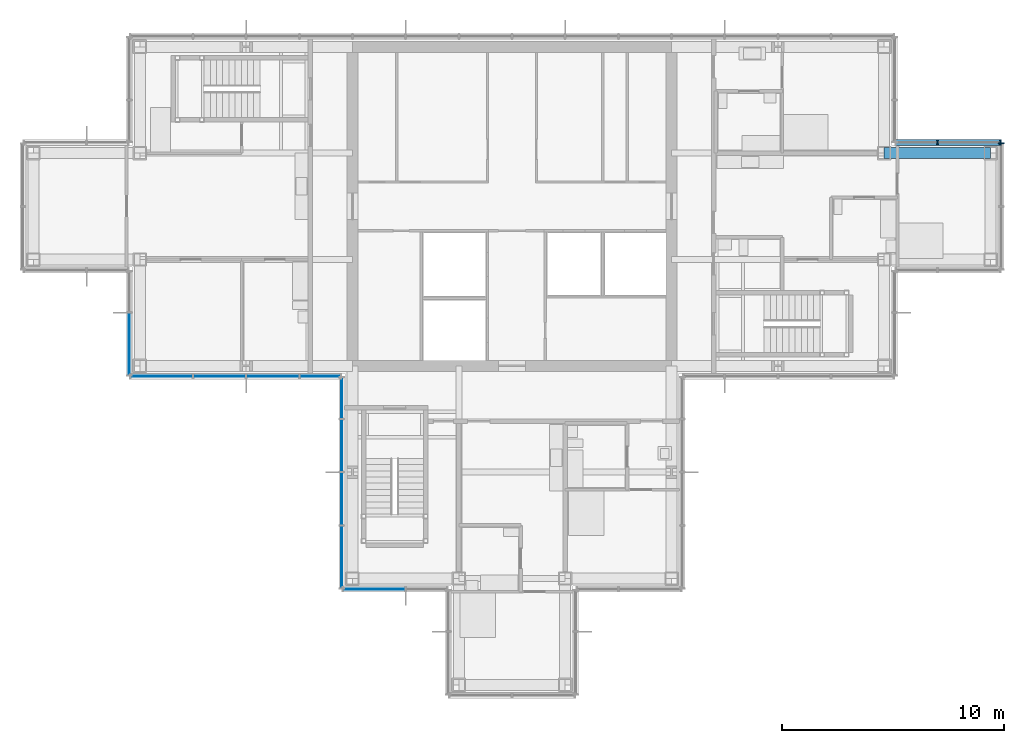
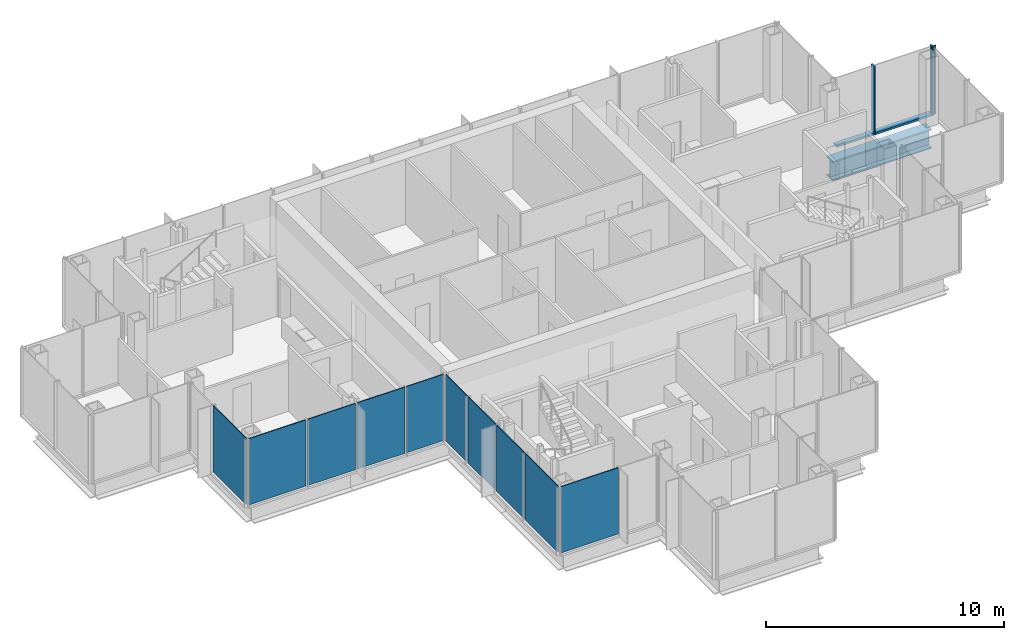
# One storey, part 8 of 15: 10 plates, 5 members, 1 beam, 6 elements without a shape of their own.
"""IFC4 building model written with IfcOpenShell, lengths in metres."""

import ifcopenshell
import ifcopenshell.guid

model = None  # the IFC model being written
_history = None  # IfcOwnerHistory: only IFC2X3 demands one
_inside = {}  # id of a spatial element -> (the spatial element, [elements in it])
_under = {}  # id of a project, library or spatial element -> (it, [spatial elements below it])
_declared = {}  # id of a project -> (the project, [libraries it declares])
_typed = {}  # id of a type object -> (the type object, [elements of that type])
_made_of = {}  # id of a material, layer set ... -> (it, [elements and type objects made of it])


def new_model(schema):
    """Start an empty IFC model of exactly this schema.

    Asked for "IFC4X3", IfcOpenShell would pick the latest addendum, in which some entities
    have other attributes; the version numbers below select the first issue.
    IFC2X3 requires an IfcOwnerHistory on every rooted entity: one is made here for all.
    """
    global model, _history
    if schema == "IFC4X3":
        model = ifcopenshell.file(schema_version=(4, 3, 0, 0))
    else:
        model = ifcopenshell.file(schema=schema)
    _inside.clear()
    _under.clear()
    _declared.clear()
    _typed.clear()
    _made_of.clear()
    _history = None
    if model.schema == "IFC2X3":
        org = make("IfcOrganization", Name="unknown")
        user = make(
            "IfcPersonAndOrganization",
            ThePerson=make("IfcPerson", FamilyName="unknown"),
            TheOrganization=org,
        )
        app = make(
            "IfcApplication",
            ApplicationDeveloper=org,
            Version="unknown",
            ApplicationFullName="unknown",
            ApplicationIdentifier="unknown",
        )
        _history = make(
            "IfcOwnerHistory",
            OwningUser=user,
            OwningApplication=app,
            ChangeAction="ADDED",
            CreationDate=0,
        )
    return model


def make(cls, **values):
    """One entity of the class cls with the attributes given. An attribute that is None is left unset."""
    return model.create_entity(
        cls, **{name: value for name, value in values.items() if value is not None}
    )


def rooted(cls, **values):
    """An entity with a GlobalId (a new one), such as an element, a storey or a relation."""
    return make(cls, GlobalId=ifcopenshell.guid.new(), OwnerHistory=_history, **values)


def si_unit(unit_type, name, prefix=None):
    """IfcSIUnit, for example si_unit("LENGTHUNIT", "METRE", prefix="MILLI")."""
    return make("IfcSIUnit", UnitType=unit_type, Prefix=prefix, Name=name)


def assignment(units):
    """IfcUnitAssignment: the units of a project."""
    return None if units is None else make("IfcUnitAssignment", Units=units)


def point(xyz):
    """IfcCartesianPoint."""
    return None if xyz is None else make("IfcCartesianPoint", Coordinates=xyz)


def direction(xyz):
    """IfcDirection."""
    return None if xyz is None else make("IfcDirection", DirectionRatios=xyz)


def frame(location, z_axis=None, x_axis=None):
    """IfcAxis2Placement3D, a coordinate frame: its origin and axes. An axis left out is left unset."""
    return make(
        "IfcAxis2Placement3D",
        Location=point(location),
        Axis=direction(z_axis),
        RefDirection=direction(x_axis),
    )


def frame_2d(location, x_axis=None):
    """IfcAxis2Placement2D, a coordinate frame in the plane: its origin and x axis."""
    return make(
        "IfcAxis2Placement2D", Location=point(location), RefDirection=direction(x_axis)
    )


def origin():
    """The frame at (0, 0, 0) with its axes left unset."""
    return frame((0.0, 0.0, 0.0))


def origin_2d():
    """The frame at (0, 0) in the plane with its x axis left unset."""
    return frame_2d((0.0, 0.0))


def place(relative_to, where):
    """IfcLocalPlacement: puts the frame where relative to a parent placement (None: the world)."""
    return make(
        "IfcLocalPlacement", PlacementRelTo=relative_to, RelativePlacement=where
    )


def context(
    kind, dimensions, precision=None, world=None, true_north=None, identifier=None
):
    """IfcGeometricRepresentationContext, for example the 3D "Model" context."""
    return make(
        "IfcGeometricRepresentationContext",
        ContextIdentifier=identifier,
        ContextType=kind,
        CoordinateSpaceDimension=dimensions,
        Precision=precision,
        WorldCoordinateSystem=world,
        TrueNorth=true_north,
    )


def subcontext(parent, identifier, kind, view, scale=None):
    """IfcGeometricRepresentationSubContext, for example "Body" below "Model"."""
    return make(
        "IfcGeometricRepresentationSubContext",
        ContextIdentifier=identifier,
        ContextType=kind,
        ParentContext=parent,
        TargetScale=scale,
        TargetView=view,
    )


def project(units=None, contexts=None):
    """IfcProject with its units and contexts."""
    return rooted(
        "IfcProject",
        Name="project",
        RepresentationContexts=contexts,
        UnitsInContext=assignment(units),
    )


def spatial(cls, under=None, at=None, **own):
    """A site, building, storey or space (cls), placed at a placement, below another one or the project."""
    s = rooted(cls, ObjectPlacement=at, **own)
    if under is not None:
        _under.setdefault(under.id(), (under, []))[1].append(s)
    return s


def profile(cls, at=None, kind="AREA", **sizes):
    """A parametric profile (cls). Its sizes go by their IFC names, for example OverallWidth=200.0."""
    return make(cls, ProfileType=kind, Position=at, **sizes)


def rectangle(**sizes):
    """IfcRectangleProfileDef."""
    return profile("IfcRectangleProfileDef", **sizes)


def i_section(**sizes):
    """IfcIShapeProfileDef."""
    return profile("IfcIShapeProfileDef", **sizes)


def extrude(swept, where, along, depth):
    """IfcExtrudedAreaSolid: the profile swept, set in the frame where, extruded along a direction by depth."""
    return make(
        "IfcExtrudedAreaSolid",
        SweptArea=swept,
        Position=where,
        ExtrudedDirection=direction(along),
        Depth=depth,
    )


def shape(context_of_items, identifier, shape_type, items):
    """IfcShapeRepresentation: the items that make up one representation, for example the "Body"."""
    return make(
        "IfcShapeRepresentation",
        ContextOfItems=context_of_items,
        RepresentationIdentifier=identifier,
        RepresentationType=shape_type,
        Items=items,
    )


def material(Name=None, Category=None):
    """IfcMaterial."""
    return make("IfcMaterial", Name=Name, Category=Category)


def layer(
    of_material, thickness, ventilated=None, Name=None, Category=None, Priority=None
):
    """IfcMaterialLayer: one layer of a wall or slab, of a material (None: an air gap)."""
    return make(
        "IfcMaterialLayer",
        Material=of_material,
        LayerThickness=thickness,
        IsVentilated=ventilated,
        Name=Name,
        Category=Category,
        Priority=Priority,
    )


def layer_set(layers, Name=None):
    """IfcMaterialLayerSet."""
    return make("IfcMaterialLayerSet", MaterialLayers=layers, LayerSetName=Name)


def material_profile(
    of_material, cross_section, Name=None, Category=None, Priority=None
):
    """IfcMaterialProfile: a cross section and its material."""
    return make(
        "IfcMaterialProfile",
        Name=Name,
        Material=of_material,
        Profile=cross_section,
        Priority=Priority,
        Category=Category,
    )


def profile_set(profiles, Name=None, composite=None):
    """IfcMaterialProfileSet."""
    return make(
        "IfcMaterialProfileSet",
        Name=Name,
        MaterialProfiles=profiles,
        CompositeProfile=composite,
    )


def made_of(thing, what):
    """Note that an element or type object is made of a material, layer set ...; save() writes the relation."""
    if what is not None:
        _made_of.setdefault(what.id(), (what, []))[1].append(thing)
    return thing


def type_object(cls, material=None, **own):
    """A type object (cls), such as IfcWallType, which elements share."""
    return made_of(rooted(cls, **own), material)


def element(
    cls,
    number,
    at=None,
    inside=None,
    cuts=None,
    type_object=None,
    material=None,
    context=None,
    identifier="Body",
    shape_type=None,
    held_by="IfcProductDefinitionShape",
    body=None,
    shapes=None,
    **own,
):
    """One element of the class cls, such as IfcWall. Its Tag is "e" and its number.

    at: its placement. inside: the storey or other place that contains it. cuts: it is an
    opening in that element (IfcRelVoidsElement). A single representation is given by context,
    identifier, shape_type and body (its items); several are given by shapes. held_by: the class
    of the entity that holds the representations. save() writes the other relations.
    """
    e = rooted(cls, Tag="e%d" % number, ObjectPlacement=at, **own)
    if body is not None:
        shapes = [shape(context, identifier, shape_type, body)]
    if shapes is not None:
        e.Representation = make(held_by, Representations=shapes)
    if inside is not None:
        _inside.setdefault(inside.id(), (inside, []))[1].append(e)
    if cuts is not None:
        rooted(
            "IfcRelVoidsElement", RelatingBuildingElement=cuts, RelatedOpeningElement=e
        )
    if type_object is not None:
        _typed.setdefault(type_object.id(), (type_object, []))[1].append(e)
    return made_of(e, material)


def aggregate(whole, parts):
    """IfcRelAggregates: a whole, such as a stair, and the parts it consists of."""
    return rooted("IfcRelAggregates", RelatingObject=whole, RelatedObjects=parts)


def save(model, path):
    """Write the relations noted so far, then the file.

    IfcRelAggregates (storeys below a building ...), IfcRelContainedInSpatialStructure (elements
    in a storey), IfcRelDefinesByType, IfcRelAssociatesMaterial and IfcRelDeclares: one each for
    every whole, place, type object, material and project.
    """
    for whole, parts in _under.values():
        aggregate(whole, parts)
    for where, things in _inside.values():
        rooted(
            "IfcRelContainedInSpatialStructure",
            RelatedElements=things,
            RelatingStructure=where,
        )
    for kind, things in _typed.values():
        rooted("IfcRelDefinesByType", RelatedObjects=things, RelatingType=kind)
    for what, things in _made_of.values():
        rooted("IfcRelAssociatesMaterial", RelatedObjects=things, RelatingMaterial=what)
    for by, libraries in _declared.values():
        rooted("IfcRelDeclares", RelatingContext=by, RelatedDefinitions=libraries)
    model.write(path)


model = new_model("IFC4")

# Units and contexts
model_context = context("Model", 3, precision=1e-05, world=origin(), true_north=direction((0.0, 1.0)))
body_context = subcontext(model_context, "Body", "Model", "MODEL_VIEW")
ifc_project = project(units=[si_unit("LENGTHUNIT", "METRE"), si_unit("AREAUNIT", "SQUARE_METRE"), si_unit("VOLUMEUNIT", "CUBIC_METRE"), si_unit("PLANEANGLEUNIT", "RADIAN"), si_unit("MASSUNIT", "GRAM", prefix="KILO")], contexts=[model_context])

# Site, building, storey
site_placement = place(None, origin())
site = spatial("IfcSite", under=ifc_project, at=site_placement, CompositionType="ELEMENT")
building_placement = place(site_placement, origin())
building = spatial("IfcBuilding", under=site, at=building_placement, Name="Kvirike Care Tower", CompositionType="ELEMENT")
storey_placement = place(building_placement, frame((0.0, 0.0, 215.5)))
storey = spatial("IfcBuildingStorey", under=building, at=storey_placement, Name="L59", CompositionType="ELEMENT", Elevation=215.5)

# Curtain wall, member
ifc_material_1 = material(Name="Anodised aluminium stick system", Category="aluminium")
curtain_wall_type = type_object("IfcCurtainWallType", Name="CW-D STICK CURTAIN WALL", PredefinedType="NOTDEFINED", material=ifc_material_1)
curtain_wall_1_placement = place(storey_placement, origin())
curtain_wall_1 = element("IfcCurtainWall", 1, at=curtain_wall_1_placement, inside=storey, type_object=curtain_wall_type, Name="Curtain wall L59 face 4", PredefinedType="NOTDEFINED")
ifc_material_2 = material(Name="Bronze anodised aluminium mullion", Category="aluminium")
ifc_material_profile_1 = material_profile(ifc_material_2, rectangle(XDim=0.06494140625, YDim=0.260009765625, at=origin_2d()), Name="CW-D MULLION 65x260")
ifc_profile_set_1 = profile_set([ifc_material_profile_1], Name="Bronze anodised aluminium mullion")
member_type_1 = type_object("IfcMemberType", Name="CW-D MULLION 65x260", PredefinedType="MULLION", material=ifc_profile_set_1)
member_1_placement = place(storey_placement, frame((43.679931640625, 38.847412109375, 0.0), z_axis=(0.0, 0.0, 1.0), x_axis=(0.0, 1.0, 0.0)))
member_1 = element("IfcMember", 2, at=member_1_placement, type_object=member_type_1, Name="CW-D mullion L59 face 4.3", PredefinedType="MULLION", context=body_context, shape_type="SweptSolid", body=[
    extrude(rectangle(XDim=0.06494140625, YDim=0.260009765625, at=origin_2d()), origin(), (0.0, 0.0, 1.0), 3.5),
])
aggregate(curtain_wall_1, [member_1])

# Curtain wall, members
curtain_wall_2_placement = place(storey_placement, origin())
curtain_wall_2 = element("IfcCurtainWall", 3, at=curtain_wall_2_placement, inside=storey, type_object=curtain_wall_type, Name="Curtain wall L59 face 5", PredefinedType="NOTDEFINED")
member_2_placement = place(storey_placement, frame((43.6474609375, 38.8798828125, 0.0), z_axis=(0.0, 0.0, 1.0), x_axis=(-1.0, 0.0, 0.0)))
member_2 = element("IfcMember", 4, at=member_2_placement, type_object=member_type_1, Name="CW-D mullion L59 face 5.1", PredefinedType="MULLION", context=body_context, shape_type="SweptSolid", body=[
    extrude(rectangle(XDim=0.06494140625, YDim=0.260009765625, at=origin_2d()), origin(), (0.0, 0.0, 1.0), 3.5),
])
member_3_placement = place(storey_placement, frame((40.800048828125, 38.8798828125, 0.0), z_axis=(0.0, 0.0, 1.0), x_axis=(-1.0, 0.0, 0.0)))
member_3 = element("IfcMember", 5, at=member_3_placement, type_object=member_type_1, Name="CW-D mullion L59 face 5.2", PredefinedType="MULLION", context=body_context, shape_type="SweptSolid", body=[
    extrude(rectangle(XDim=0.06494140625, YDim=0.260009765625, at=origin_2d()), origin(), (0.0, 0.0, 1.0), 3.5),
])
ifc_material_3 = material(Name="Bronze anodised aluminium transom", Category="aluminium")
ifc_material_profile_2 = material_profile(ifc_material_3, rectangle(XDim=0.260009765625, YDim=0.10009765625, at=origin_2d()), Name="CW-D TRANSOM 260x100")
ifc_profile_set_2 = profile_set([ifc_material_profile_2], Name="Bronze anodised aluminium transom")
member_type_2 = type_object("IfcMemberType", Name="CW-D TRANSOM 260x100", PredefinedType="USERDEFINED", material=ifc_profile_set_2)
member_4_placement = place(storey_placement, frame((43.614990234375, 38.8798828125, 0.050048828125), z_axis=(-1.0, 0.0, 0.0), x_axis=(0.0, -1.0, 0.0)))
member_4 = element("IfcMember", 6, at=member_4_placement, type_object=member_type_2, Name="CW-D sill transom L59 face 5.1", ObjectType="TRANSOM", PredefinedType="USERDEFINED", context=body_context, shape_type="SweptSolid", body=[
    extrude(rectangle(XDim=0.260009765625, YDim=0.10009765625, at=origin_2d()), origin(), (0.0, 0.0, 1.0), 2.782470703125),
])
member_5_placement = place(storey_placement, frame((40.767578125, 38.8798828125, 0.050048828125), z_axis=(-1.0, 0.0, 0.0), x_axis=(0.0, -1.0, 0.0)))
member_5 = element("IfcMember", 7, at=member_5_placement, type_object=member_type_2, Name="CW-D sill transom L59 face 5.2", ObjectType="TRANSOM", PredefinedType="USERDEFINED", context=body_context, shape_type="SweptSolid", body=[
    extrude(rectangle(XDim=0.260009765625, YDim=0.10009765625, at=origin_2d()), origin(), (0.0, 0.0, 1.0), 1.822509765625),
])
aggregate(curtain_wall_2, [member_2, member_3, member_4, member_5])

# Beam
ifc_material_4 = material(Name="Steel S355", Category="steel")
ifc_material_profile_3 = material_profile(ifc_material_4, i_section(OverallWidth=0.5, OverallDepth=1.0, WebThickness=0.030029296875, FlangeThickness=0.06005859375, at=origin_2d()), Name="PG 1000x500x30x60")
ifc_profile_set_3 = profile_set([ifc_material_profile_3], Name="Steel S355")
beam_type = type_object("IfcBeamType", Name="SPANDREL PG 1000x500x30x60", PredefinedType="SPANDREL", material=ifc_profile_set_3)
beam_placement = place(storey_placement, frame((38.39990234375, 38.39990234375, -0.669921875), z_axis=(1.0, 0.0, 0.0), x_axis=(0.0, 1.0, 0.0)))
element("IfcBeam", 8, at=beam_placement, inside=storey, type_object=beam_type, Name="Spandrel J11-J12 L59", PredefinedType="SPANDREL", context=body_context, shape_type="SweptSolid", body=[
    extrude(i_section(OverallWidth=0.5, OverallDepth=1.0, WebThickness=0.030029296875, FlangeThickness=0.06005859375, at=origin_2d()), origin(), (0.0, 0.0, 1.0), 4.800048828125),
])

# Curtain wall, plate
curtain_wall_3_placement = place(storey_placement, origin())
curtain_wall_3 = element("IfcCurtainWall", 9, at=curtain_wall_3_placement, inside=storey, type_object=curtain_wall_type, Name="Curtain wall L59 face 12", PredefinedType="NOTDEFINED")
ifc_material_5 = material(Name="Tinted double glazed unit", Category="glass")
ifc_layer = layer(ifc_material_5, 0.0439453125)
ifc_layer_set = layer_set([ifc_layer], Name="TINTED VISION PANEL 44")
plate_type = type_object("IfcPlateType", Name="TINTED VISION PANEL 44", PredefinedType="CURTAIN_PANEL", material=ifc_layer_set)
plate_1_placement = place(storey_placement, frame((4.320068359375, 29.7763671875, 0.10009765625), z_axis=(0.0, 0.0, 1.0), x_axis=(0.0, -1.0, 0.0)))
plate_1 = element("IfcPlate", 10, at=plate_1_placement, type_object=plate_type, Name="CW-D panel L59 face 12.2", PredefinedType="CURTAIN_PANEL", context=body_context, shape_type="SweptSolid", body=[
    extrude(rectangle(XDim=2.782470703125, YDim=0.0439453125, at=origin_2d()), origin(), (0.0, 0.0, 1.0), 3.39990234375),
])
aggregate(curtain_wall_3, [plate_1])

# Curtain wall, plates
curtain_wall_4_placement = place(storey_placement, origin())
curtain_wall_4 = element("IfcCurtainWall", 11, at=curtain_wall_4_placement, inside=storey, type_object=curtain_wall_type, Name="Curtain wall L59 face 13", PredefinedType="NOTDEFINED")
plate_2_placement = place(storey_placement, frame((5.7763671875, 28.320068359375, 0.10009765625), z_axis=(0.0, 0.0, 1.0), x_axis=(1.0, 0.0, 0.0)))
plate_2 = element("IfcPlate", 12, at=plate_2_placement, type_object=plate_type, Name="CW-D panel L59 face 13.1", PredefinedType="CURTAIN_PANEL", context=body_context, shape_type="SweptSolid", body=[
    extrude(rectangle(XDim=2.782470703125, YDim=0.0439453125, at=origin_2d()), origin(), (0.0, 0.0, 1.0), 3.39990234375),
])
plate_3_placement = place(storey_placement, frame((8.39990234375, 28.320068359375, 0.10009765625), z_axis=(0.0, 0.0, 1.0), x_axis=(1.0, 0.0, 0.0)))
plate_3 = element("IfcPlate", 13, at=plate_3_placement, type_object=plate_type, Name="CW-D panel L59 face 13.2", PredefinedType="CURTAIN_PANEL", context=body_context, shape_type="SweptSolid", body=[
    extrude(rectangle(XDim=2.3349609375, YDim=0.0439453125, at=origin_2d()), origin(), (0.0, 0.0, 1.0), 3.39990234375),
])
plate_4_placement = place(storey_placement, frame((10.800048828125, 28.320068359375, 0.10009765625), z_axis=(0.0, 0.0, 1.0), x_axis=(1.0, 0.0, 0.0)))
plate_4 = element("IfcPlate", 14, at=plate_4_placement, type_object=plate_type, Name="CW-D panel L59 face 13.3", PredefinedType="CURTAIN_PANEL", context=body_context, shape_type="SweptSolid", body=[
    extrude(rectangle(XDim=2.3349609375, YDim=0.0439453125, at=origin_2d()), origin(), (0.0, 0.0, 1.0), 3.39990234375),
])
plate_5_placement = place(storey_placement, frame((12.94384765625, 28.320068359375, 0.10009765625), z_axis=(0.0, 0.0, 1.0), x_axis=(1.0, 0.0, 0.0)))
plate_5 = element("IfcPlate", 15, at=plate_5_placement, type_object=plate_type, Name="CW-D panel L59 face 13.4", PredefinedType="CURTAIN_PANEL", context=body_context, shape_type="SweptSolid", body=[
    extrude(rectangle(XDim=1.822509765625, YDim=0.0439453125, at=origin_2d()), origin(), (0.0, 0.0, 1.0), 3.39990234375),
])
aggregate(curtain_wall_4, [plate_2, plate_3, plate_4, plate_5])

curtain_wall_5_placement = place(storey_placement, origin())
curtain_wall_5 = element("IfcCurtainWall", 16, at=curtain_wall_5_placement, inside=storey, type_object=curtain_wall_type, Name="Curtain wall L59 face 14", PredefinedType="NOTDEFINED")
plate_6_placement = place(storey_placement, frame((13.919921875, 27.34375, 0.10009765625), z_axis=(0.0, 0.0, 1.0), x_axis=(0.0, -1.0, 0.0)))
plate_6 = element("IfcPlate", 17, at=plate_6_placement, type_object=plate_type, Name="CW-D panel L59 face 14.1", PredefinedType="CURTAIN_PANEL", context=body_context, shape_type="SweptSolid", body=[
    extrude(rectangle(XDim=1.822509765625, YDim=0.0439453125, at=origin_2d()), origin(), (0.0, 0.0, 1.0), 3.39990234375),
])
plate_7_placement = place(storey_placement, frame((13.919921875, 25.199951171875, 0.10009765625), z_axis=(0.0, 0.0, 1.0), x_axis=(0.0, -1.0, 0.0)))
plate_7 = element("IfcPlate", 18, at=plate_7_placement, type_object=plate_type, Name="CW-D panel L59 face 14.2", PredefinedType="CURTAIN_PANEL", context=body_context, shape_type="SweptSolid", body=[
    extrude(rectangle(XDim=2.3349609375, YDim=0.0439453125, at=origin_2d()), origin(), (0.0, 0.0, 1.0), 3.39990234375),
])
plate_8_placement = place(storey_placement, frame((13.919921875, 22.800048828125, 0.10009765625), z_axis=(0.0, 0.0, 1.0), x_axis=(0.0, -1.0, 0.0)))
plate_8 = element("IfcPlate", 19, at=plate_8_placement, type_object=plate_type, Name="CW-D panel L59 face 14.3", PredefinedType="CURTAIN_PANEL", context=body_context, shape_type="SweptSolid", body=[
    extrude(rectangle(XDim=2.3349609375, YDim=0.0439453125, at=origin_2d()), origin(), (0.0, 0.0, 1.0), 3.39990234375),
])
plate_9_placement = place(storey_placement, frame((13.919921875, 20.17626953125, 0.10009765625), z_axis=(0.0, 0.0, 1.0), x_axis=(0.0, -1.0, 0.0)))
plate_9 = element("IfcPlate", 20, at=plate_9_placement, type_object=plate_type, Name="CW-D panel L59 face 14.4", PredefinedType="CURTAIN_PANEL", context=body_context, shape_type="SweptSolid", body=[
    extrude(rectangle(XDim=2.782470703125, YDim=0.0439453125, at=origin_2d()), origin(), (0.0, 0.0, 1.0), 3.39990234375),
])
aggregate(curtain_wall_5, [plate_6, plate_7, plate_8, plate_9])

# Curtain wall, plate
curtain_wall_6_placement = place(storey_placement, origin())
curtain_wall_6 = element("IfcCurtainWall", 21, at=curtain_wall_6_placement, inside=storey, type_object=curtain_wall_type, Name="Curtain wall L59 face 15", PredefinedType="NOTDEFINED")
plate_10_placement = place(storey_placement, frame((15.376220703125, 18.719970703125, 0.10009765625), z_axis=(0.0, 0.0, 1.0), x_axis=(1.0, 0.0, 0.0)))
plate_10 = element("IfcPlate", 22, at=plate_10_placement, type_object=plate_type, Name="CW-D panel L59 face 15.1", PredefinedType="CURTAIN_PANEL", context=body_context, shape_type="SweptSolid", body=[
    extrude(rectangle(XDim=2.782470703125, YDim=0.0439453125, at=origin_2d()), origin(), (0.0, 0.0, 1.0), 3.39990234375),
])
aggregate(curtain_wall_6, [plate_10])

save(model, "model.ifc")
